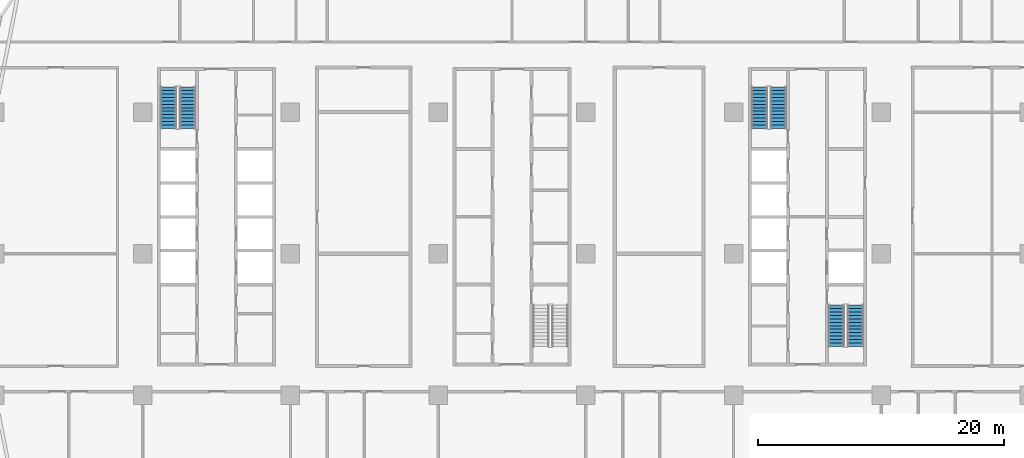
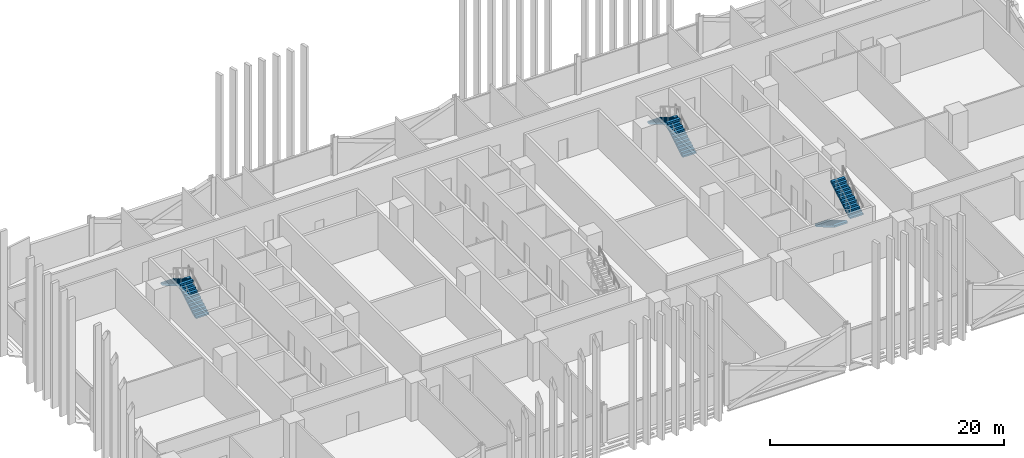
# One storey, part 18 of 29: 6 stair flights, 3 elements without a shape of their own.
"""IFC4 building model written with IfcOpenShell, lengths in metres."""

import ifcopenshell
import ifcopenshell.guid

model = None  # the IFC model being written
_history = None  # IfcOwnerHistory: only IFC2X3 demands one
_inside = {}  # id of a spatial element -> (the spatial element, [elements in it])
_under = {}  # id of a project, library or spatial element -> (it, [spatial elements below it])
_declared = {}  # id of a project -> (the project, [libraries it declares])
_typed = {}  # id of a type object -> (the type object, [elements of that type])
_made_of = {}  # id of a material, layer set ... -> (it, [elements and type objects made of it])


def new_model(schema):
    """Start an empty IFC model of exactly this schema.

    Asked for "IFC4X3", IfcOpenShell would pick the latest addendum, in which some entities
    have other attributes; the version numbers below select the first issue.
    IFC2X3 requires an IfcOwnerHistory on every rooted entity: one is made here for all.
    """
    global model, _history
    if schema == "IFC4X3":
        model = ifcopenshell.file(schema_version=(4, 3, 0, 0))
    else:
        model = ifcopenshell.file(schema=schema)
    _inside.clear()
    _under.clear()
    _declared.clear()
    _typed.clear()
    _made_of.clear()
    _history = None
    if model.schema == "IFC2X3":
        org = make("IfcOrganization", Name="unknown")
        user = make(
            "IfcPersonAndOrganization",
            ThePerson=make("IfcPerson", FamilyName="unknown"),
            TheOrganization=org,
        )
        app = make(
            "IfcApplication",
            ApplicationDeveloper=org,
            Version="unknown",
            ApplicationFullName="unknown",
            ApplicationIdentifier="unknown",
        )
        _history = make(
            "IfcOwnerHistory",
            OwningUser=user,
            OwningApplication=app,
            ChangeAction="ADDED",
            CreationDate=0,
        )
    return model


def make(cls, **values):
    """One entity of the class cls with the attributes given. An attribute that is None is left unset."""
    return model.create_entity(
        cls, **{name: value for name, value in values.items() if value is not None}
    )


def rooted(cls, **values):
    """An entity with a GlobalId (a new one), such as an element, a storey or a relation."""
    return make(cls, GlobalId=ifcopenshell.guid.new(), OwnerHistory=_history, **values)


def si_unit(unit_type, name, prefix=None):
    """IfcSIUnit, for example si_unit("LENGTHUNIT", "METRE", prefix="MILLI")."""
    return make("IfcSIUnit", UnitType=unit_type, Prefix=prefix, Name=name)


def assignment(units):
    """IfcUnitAssignment: the units of a project."""
    return None if units is None else make("IfcUnitAssignment", Units=units)


def point(xyz):
    """IfcCartesianPoint."""
    return None if xyz is None else make("IfcCartesianPoint", Coordinates=xyz)


def direction(xyz):
    """IfcDirection."""
    return None if xyz is None else make("IfcDirection", DirectionRatios=xyz)


def frame(location, z_axis=None, x_axis=None):
    """IfcAxis2Placement3D, a coordinate frame: its origin and axes. An axis left out is left unset."""
    return make(
        "IfcAxis2Placement3D",
        Location=point(location),
        Axis=direction(z_axis),
        RefDirection=direction(x_axis),
    )


def origin():
    """The frame at (0, 0, 0) with its axes left unset."""
    return frame((0.0, 0.0, 0.0))


def place(relative_to, where):
    """IfcLocalPlacement: puts the frame where relative to a parent placement (None: the world)."""
    return make(
        "IfcLocalPlacement", PlacementRelTo=relative_to, RelativePlacement=where
    )


def context(
    kind, dimensions, precision=None, world=None, true_north=None, identifier=None
):
    """IfcGeometricRepresentationContext, for example the 3D "Model" context."""
    return make(
        "IfcGeometricRepresentationContext",
        ContextIdentifier=identifier,
        ContextType=kind,
        CoordinateSpaceDimension=dimensions,
        Precision=precision,
        WorldCoordinateSystem=world,
        TrueNorth=true_north,
    )


def subcontext(parent, identifier, kind, view, scale=None):
    """IfcGeometricRepresentationSubContext, for example "Body" below "Model"."""
    return make(
        "IfcGeometricRepresentationSubContext",
        ContextIdentifier=identifier,
        ContextType=kind,
        ParentContext=parent,
        TargetScale=scale,
        TargetView=view,
    )


def project(units=None, contexts=None):
    """IfcProject with its units and contexts."""
    return rooted(
        "IfcProject",
        Name="project",
        RepresentationContexts=contexts,
        UnitsInContext=assignment(units),
    )


def spatial(cls, under=None, at=None, **own):
    """A site, building, storey or space (cls), placed at a placement, below another one or the project."""
    s = rooted(cls, ObjectPlacement=at, **own)
    if under is not None:
        _under.setdefault(under.id(), (under, []))[1].append(s)
    return s


def polyline(points):
    """IfcPolyline through the points."""
    return make("IfcPolyline", Points=[point(p) for p in points])


def outline(outer, holes=None, kind="AREA"):
    """IfcArbitraryClosedProfileDef: a profile drawn as a closed curve; with holes, ...WithVoids."""
    if holes is None:
        return make("IfcArbitraryClosedProfileDef", ProfileType=kind, OuterCurve=outer)
    return make(
        "IfcArbitraryProfileDefWithVoids",
        ProfileType=kind,
        OuterCurve=outer,
        InnerCurves=holes,
    )


def extrude(swept, where, along, depth):
    """IfcExtrudedAreaSolid: the profile swept, set in the frame where, extruded along a direction by depth."""
    return make(
        "IfcExtrudedAreaSolid",
        SweptArea=swept,
        Position=where,
        ExtrudedDirection=direction(along),
        Depth=depth,
    )


def shape(context_of_items, identifier, shape_type, items):
    """IfcShapeRepresentation: the items that make up one representation, for example the "Body"."""
    return make(
        "IfcShapeRepresentation",
        ContextOfItems=context_of_items,
        RepresentationIdentifier=identifier,
        RepresentationType=shape_type,
        Items=items,
    )


def material(Name=None, Category=None):
    """IfcMaterial."""
    return make("IfcMaterial", Name=Name, Category=Category)


def made_of(thing, what):
    """Note that an element or type object is made of a material, layer set ...; save() writes the relation."""
    if what is not None:
        _made_of.setdefault(what.id(), (what, []))[1].append(thing)
    return thing


def type_object(cls, material=None, **own):
    """A type object (cls), such as IfcWallType, which elements share."""
    return made_of(rooted(cls, **own), material)


def element(
    cls,
    number,
    at=None,
    inside=None,
    cuts=None,
    type_object=None,
    material=None,
    context=None,
    identifier="Body",
    shape_type=None,
    held_by="IfcProductDefinitionShape",
    body=None,
    shapes=None,
    **own,
):
    """One element of the class cls, such as IfcWall. Its Tag is "e" and its number.

    at: its placement. inside: the storey or other place that contains it. cuts: it is an
    opening in that element (IfcRelVoidsElement). A single representation is given by context,
    identifier, shape_type and body (its items); several are given by shapes. held_by: the class
    of the entity that holds the representations. save() writes the other relations.
    """
    e = rooted(cls, Tag="e%d" % number, ObjectPlacement=at, **own)
    if body is not None:
        shapes = [shape(context, identifier, shape_type, body)]
    if shapes is not None:
        e.Representation = make(held_by, Representations=shapes)
    if inside is not None:
        _inside.setdefault(inside.id(), (inside, []))[1].append(e)
    if cuts is not None:
        rooted(
            "IfcRelVoidsElement", RelatingBuildingElement=cuts, RelatedOpeningElement=e
        )
    if type_object is not None:
        _typed.setdefault(type_object.id(), (type_object, []))[1].append(e)
    return made_of(e, material)


def aggregate(whole, parts):
    """IfcRelAggregates: a whole, such as a stair, and the parts it consists of."""
    return rooted("IfcRelAggregates", RelatingObject=whole, RelatedObjects=parts)


def save(model, path):
    """Write the relations noted so far, then the file.

    IfcRelAggregates (storeys below a building ...), IfcRelContainedInSpatialStructure (elements
    in a storey), IfcRelDefinesByType, IfcRelAssociatesMaterial and IfcRelDeclares: one each for
    every whole, place, type object, material and project.
    """
    for whole, parts in _under.values():
        aggregate(whole, parts)
    for where, things in _inside.values():
        rooted(
            "IfcRelContainedInSpatialStructure",
            RelatedElements=things,
            RelatingStructure=where,
        )
    for kind, things in _typed.values():
        rooted("IfcRelDefinesByType", RelatedObjects=things, RelatingType=kind)
    for what, things in _made_of.values():
        rooted("IfcRelAssociatesMaterial", RelatedObjects=things, RelatingMaterial=what)
    for by, libraries in _declared.values():
        rooted("IfcRelDeclares", RelatingContext=by, RelatedDefinitions=libraries)
    model.write(path)


model = new_model("IFC4")

# Units and contexts
model_context = context("Model", 3, precision=1e-05, world=origin(), true_north=direction((0.0, 1.0)))
body_context = subcontext(model_context, "Body", "Model", "MODEL_VIEW")
ifc_project = project(units=[si_unit("LENGTHUNIT", "METRE"), si_unit("AREAUNIT", "SQUARE_METRE"), si_unit("VOLUMEUNIT", "CUBIC_METRE"), si_unit("PLANEANGLEUNIT", "RADIAN"), si_unit("MASSUNIT", "GRAM", prefix="KILO")], contexts=[model_context])

# Site, building, storey
site_placement = place(None, origin())
site = spatial("IfcSite", under=ifc_project, at=site_placement, CompositionType="ELEMENT")
building_placement = place(site_placement, origin())
building = spatial("IfcBuilding", under=site, at=building_placement, Name="Mahtab Terrace Research Tower", CompositionType="ELEMENT")
storey_placement = place(building_placement, frame((0.0, 0.0, 63.199951171875)))
storey = spatial("IfcBuildingStorey", under=building, at=storey_placement, Name="L14", CompositionType="ELEMENT", Elevation=63.199951171875)

# Stair, stair flights
ifc_material_1 = material(Name="Exit stair half-turn")
stair_type = type_object("IfcStairType", Name="Exit stair half-turn", PredefinedType="HALF_TURN_STAIR", material=ifc_material_1)
stair_1_placement = place(storey_placement, origin())
stair_1 = element("IfcStair", 1, at=stair_1_placement, inside=storey, type_object=stair_type, Name="L14 Protected exit stair ST1", PredefinedType="HALF_TURN_STAIR")
ifc_material_2 = material(Name="Concrete C40/50", Category="concrete")
stair_flight_type = type_object("IfcStairFlightType", Name="Exit stair flight 1300", PredefinedType="STRAIGHT", material=ifc_material_2)
stair_flight_1_placement = place(storey_placement, frame((-26.35009765625, 10.175048828125, 0.0), z_axis=(0.0, 0.0, 1.0), x_axis=(0.0, 1.0, 0.0)))
stair_flight_1 = element("IfcStairFlight", 2, at=stair_flight_1_placement, type_object=stair_flight_type, Name="ST1 flight 1", NumberOfRisers=13, NumberOfTreads=12, PredefinedType="STRAIGHT", RiserHeight=0.165384615, TreadLength=0.28, context=body_context, shape_type="SweptSolid", body=[
    extrude(outline(polyline([(0.0, 0.0), (0.0, 0.165283203125), (0.280029296875, 0.165283203125), (0.280029296875, 0.330810546875), (0.56005859375, 0.330810546875), (0.56005859375, 0.49609375), (0.840087890625, 0.49609375), (0.840087890625, 0.66162109375), (1.1201171875, 0.66162109375), (1.1201171875, 0.826904296875), (1.39990234375, 0.826904296875), (1.39990234375, 0.9921875), (1.679931640625, 0.9921875), (1.679931640625, 1.15771484375), (1.9599609375, 1.15771484375), (1.9599609375, 1.322998046875), (2.239990234375, 1.322998046875), (2.239990234375, 1.488525390625), (2.52001953125, 1.488525390625), (2.52001953125, 1.65380859375), (2.800048828125, 1.65380859375), (2.800048828125, 1.8193359375), (3.080078125, 1.8193359375), (3.080078125, 1.984619140625), (3.360107421875, 1.984619140625), (3.360107421875, 2.14990234375), (3.360107421875, 1.810546875), (0.294677734375, 0.0), (0.0, 0.0)])), frame((0.0, 0.64990234375, 0.0), z_axis=(0.0, -1.0, 0.0), x_axis=(1.0, 0.0, 0.0)), (0.0, 0.0, 1.0), 1.300048828125),
])
stair_flight_2_placement = place(storey_placement, frame((-27.89990234375, 13.534912109375, 2.150146484375), z_axis=(0.0, 0.0, 1.0), x_axis=(0.0, -1.0, 0.0)))
stair_flight_2 = element("IfcStairFlight", 3, at=stair_flight_2_placement, type_object=stair_flight_type, Name="ST1 flight 2", NumberOfRisers=13, NumberOfTreads=12, PredefinedType="STRAIGHT", RiserHeight=0.165384615, TreadLength=0.28, context=body_context, shape_type="SweptSolid", body=[
    extrude(outline(polyline([(0.0, 0.0), (0.0, 0.165283203125), (0.280029296875, 0.165283203125), (0.280029296875, 0.330810546875), (0.56005859375, 0.330810546875), (0.56005859375, 0.49609375), (0.840087890625, 0.49609375), (0.840087890625, 0.66162109375), (1.1201171875, 0.66162109375), (1.1201171875, 0.826904296875), (1.39990234375, 0.826904296875), (1.39990234375, 0.9921875), (1.679931640625, 0.9921875), (1.679931640625, 1.15771484375), (1.9599609375, 1.15771484375), (1.9599609375, 1.322998046875), (2.239990234375, 1.322998046875), (2.239990234375, 1.488525390625), (2.52001953125, 1.488525390625), (2.52001953125, 1.65380859375), (2.800048828125, 1.65380859375), (2.800048828125, 1.8193359375), (3.080078125, 1.8193359375), (3.080078125, 1.984619140625), (3.360107421875, 1.984619140625), (3.360107421875, 2.14990234375), (3.360107421875, 1.810546875), (0.294677734375, 0.0), (0.0, 0.0)])), frame((0.0, 0.64990234375, 0.0), z_axis=(0.0, -1.0, 0.0), x_axis=(1.0, 0.0, 0.0)), (0.0, 0.0, 1.0), 1.300048828125),
])
aggregate(stair_1, [stair_flight_1, stair_flight_2])

stair_2_placement = place(storey_placement, origin())
stair_2 = element("IfcStair", 4, at=stair_2_placement, inside=storey, type_object=stair_type, Name="L14 Protected exit stair ST3", PredefinedType="HALF_TURN_STAIR")
stair_flight_3_placement = place(storey_placement, frame((21.64990234375, 10.175048828125, 0.0), z_axis=(0.0, 0.0, 1.0), x_axis=(0.0, 1.0, 0.0)))
stair_flight_3 = element("IfcStairFlight", 5, at=stair_flight_3_placement, type_object=stair_flight_type, Name="ST3 flight 1", NumberOfRisers=13, NumberOfTreads=12, PredefinedType="STRAIGHT", RiserHeight=0.165384615, TreadLength=0.28, context=body_context, shape_type="SweptSolid", body=[
    extrude(outline(polyline([(0.0, 0.0), (0.0, 0.165283203125), (0.280029296875, 0.165283203125), (0.280029296875, 0.330810546875), (0.56005859375, 0.330810546875), (0.56005859375, 0.49609375), (0.840087890625, 0.49609375), (0.840087890625, 0.66162109375), (1.1201171875, 0.66162109375), (1.1201171875, 0.826904296875), (1.39990234375, 0.826904296875), (1.39990234375, 0.9921875), (1.679931640625, 0.9921875), (1.679931640625, 1.15771484375), (1.9599609375, 1.15771484375), (1.9599609375, 1.322998046875), (2.239990234375, 1.322998046875), (2.239990234375, 1.488525390625), (2.52001953125, 1.488525390625), (2.52001953125, 1.65380859375), (2.800048828125, 1.65380859375), (2.800048828125, 1.8193359375), (3.080078125, 1.8193359375), (3.080078125, 1.984619140625), (3.360107421875, 1.984619140625), (3.360107421875, 2.14990234375), (3.360107421875, 1.810546875), (0.294677734375, 0.0), (0.0, 0.0)])), frame((0.0, 0.64990234375, 0.0), z_axis=(0.0, -1.0, 0.0), x_axis=(1.0, 0.0, 0.0)), (0.0, 0.0, 1.0), 1.300048828125),
])
stair_flight_4_placement = place(storey_placement, frame((20.10009765625, 13.534912109375, 2.150146484375), z_axis=(0.0, 0.0, 1.0), x_axis=(0.0, -1.0, 0.0)))
stair_flight_4 = element("IfcStairFlight", 6, at=stair_flight_4_placement, type_object=stair_flight_type, Name="ST3 flight 2", NumberOfRisers=13, NumberOfTreads=12, PredefinedType="STRAIGHT", RiserHeight=0.165384615, TreadLength=0.28, context=body_context, shape_type="SweptSolid", body=[
    extrude(outline(polyline([(0.0, 0.0), (0.0, 0.165283203125), (0.280029296875, 0.165283203125), (0.280029296875, 0.330810546875), (0.56005859375, 0.330810546875), (0.56005859375, 0.49609375), (0.840087890625, 0.49609375), (0.840087890625, 0.66162109375), (1.1201171875, 0.66162109375), (1.1201171875, 0.826904296875), (1.39990234375, 0.826904296875), (1.39990234375, 0.9921875), (1.679931640625, 0.9921875), (1.679931640625, 1.15771484375), (1.9599609375, 1.15771484375), (1.9599609375, 1.322998046875), (2.239990234375, 1.322998046875), (2.239990234375, 1.488525390625), (2.52001953125, 1.488525390625), (2.52001953125, 1.65380859375), (2.800048828125, 1.65380859375), (2.800048828125, 1.8193359375), (3.080078125, 1.8193359375), (3.080078125, 1.984619140625), (3.360107421875, 1.984619140625), (3.360107421875, 2.14990234375), (3.360107421875, 1.810546875), (0.294677734375, 0.0), (0.0, 0.0)])), frame((0.0, 0.64990234375, 0.0), z_axis=(0.0, -1.0, 0.0), x_axis=(1.0, 0.0, 0.0)), (0.0, 0.0, 1.0), 1.300048828125),
])
aggregate(stair_2, [stair_flight_3, stair_flight_4])

stair_3_placement = place(storey_placement, origin())
stair_3 = element("IfcStair", 7, at=stair_3_placement, inside=storey, type_object=stair_type, Name="L14 Protected exit stair ST4", PredefinedType="HALF_TURN_STAIR")
stair_flight_5_placement = place(storey_placement, frame((26.35009765625, -4.175048828125, 0.0), z_axis=(0.0, 0.0, 1.0), x_axis=(0.0, -1.0, 0.0)))
stair_flight_5 = element("IfcStairFlight", 8, at=stair_flight_5_placement, type_object=stair_flight_type, Name="ST4 flight 1", NumberOfRisers=13, NumberOfTreads=12, PredefinedType="STRAIGHT", RiserHeight=0.165384615, TreadLength=0.28, context=body_context, shape_type="SweptSolid", body=[
    extrude(outline(polyline([(0.0, 0.0), (0.0, 0.165283203125), (0.280029296875, 0.165283203125), (0.280029296875, 0.330810546875), (0.56005859375, 0.330810546875), (0.56005859375, 0.49609375), (0.840087890625, 0.49609375), (0.840087890625, 0.66162109375), (1.1201171875, 0.66162109375), (1.1201171875, 0.826904296875), (1.39990234375, 0.826904296875), (1.39990234375, 0.9921875), (1.679931640625, 0.9921875), (1.679931640625, 1.15771484375), (1.9599609375, 1.15771484375), (1.9599609375, 1.322998046875), (2.239990234375, 1.322998046875), (2.239990234375, 1.488525390625), (2.52001953125, 1.488525390625), (2.52001953125, 1.65380859375), (2.800048828125, 1.65380859375), (2.800048828125, 1.8193359375), (3.080078125, 1.8193359375), (3.080078125, 1.984619140625), (3.360107421875, 1.984619140625), (3.360107421875, 2.14990234375), (3.360107421875, 1.810546875), (0.294677734375, 0.0), (0.0, 0.0)])), frame((0.0, 0.64990234375, 0.0), z_axis=(0.0, -1.0, 0.0), x_axis=(1.0, 0.0, 0.0)), (0.0, 0.0, 1.0), 1.300048828125),
])
stair_flight_6_placement = place(storey_placement, frame((27.89990234375, -7.534912109375, 2.150146484375), z_axis=(0.0, 0.0, 1.0), x_axis=(0.0, 1.0, 0.0)))
stair_flight_6 = element("IfcStairFlight", 9, at=stair_flight_6_placement, type_object=stair_flight_type, Name="ST4 flight 2", NumberOfRisers=13, NumberOfTreads=12, PredefinedType="STRAIGHT", RiserHeight=0.165384615, TreadLength=0.28, context=body_context, shape_type="SweptSolid", body=[
    extrude(outline(polyline([(0.0, 0.0), (0.0, 0.165283203125), (0.280029296875, 0.165283203125), (0.280029296875, 0.330810546875), (0.56005859375, 0.330810546875), (0.56005859375, 0.49609375), (0.840087890625, 0.49609375), (0.840087890625, 0.66162109375), (1.1201171875, 0.66162109375), (1.1201171875, 0.826904296875), (1.39990234375, 0.826904296875), (1.39990234375, 0.9921875), (1.679931640625, 0.9921875), (1.679931640625, 1.15771484375), (1.9599609375, 1.15771484375), (1.9599609375, 1.322998046875), (2.239990234375, 1.322998046875), (2.239990234375, 1.488525390625), (2.52001953125, 1.488525390625), (2.52001953125, 1.65380859375), (2.800048828125, 1.65380859375), (2.800048828125, 1.8193359375), (3.080078125, 1.8193359375), (3.080078125, 1.984619140625), (3.360107421875, 1.984619140625), (3.360107421875, 2.14990234375), (3.360107421875, 1.810546875), (0.294677734375, 0.0), (0.0, 0.0)])), frame((0.0, 0.64990234375, 0.0), z_axis=(0.0, -1.0, 0.0), x_axis=(1.0, 0.0, 0.0)), (0.0, 0.0, 1.0), 1.300048828125),
])
aggregate(stair_3, [stair_flight_5, stair_flight_6])

save(model, "model.ifc")
